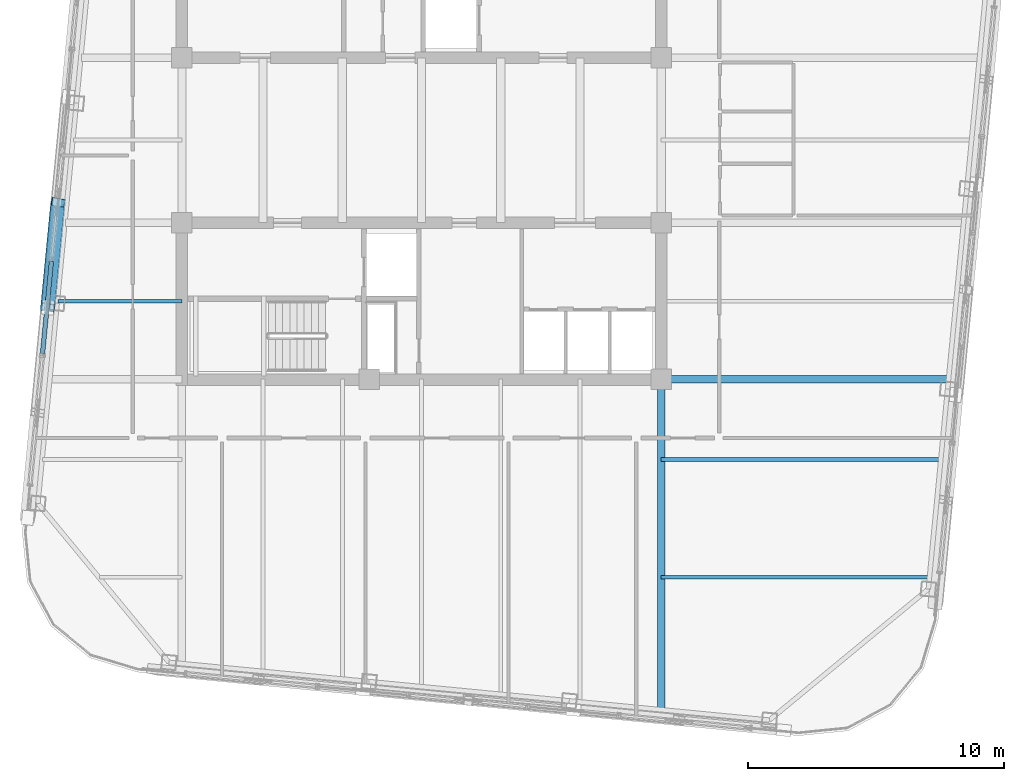
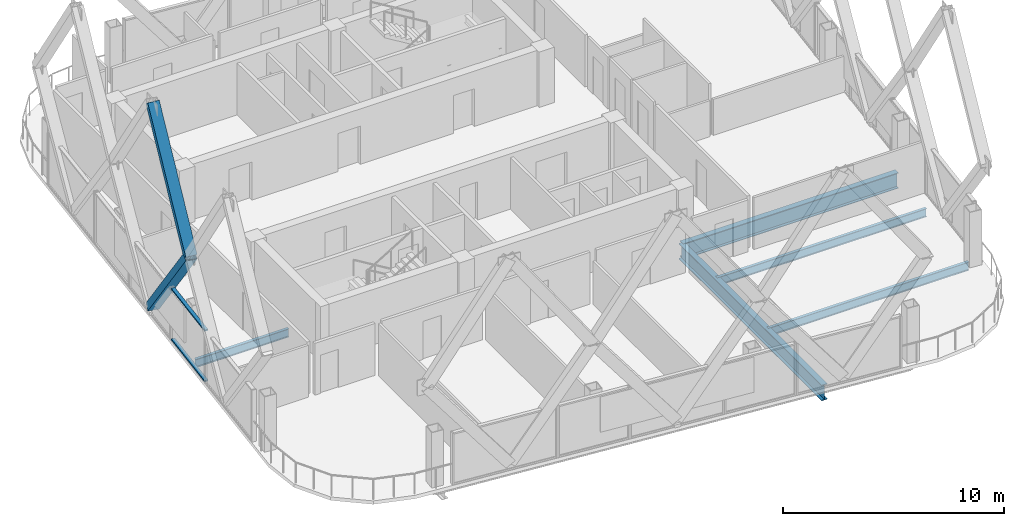
# One storey, part 8 of 25: 5 beams, 4 members, 1 element without a shape of its own.
"""IFC4 building model written with IfcOpenShell, lengths in metres."""

from ifc_helpers import new_model, si_unit, direction, frame, origin, origin_2d, place, context, subcontext, project, spatial, hollow_rectangle, i_section, extrude, material, layer, layer_set, material_profile, profile_set, type_object, element, aggregate, save


model = new_model("IFC4")

# Units and contexts
model_context = context("Model", 3, precision=1e-05, world=origin(), true_north=direction((0.0, 1.0)))
body_context = subcontext(model_context, "Body", "Model", "MODEL_VIEW")
ifc_project = project(units=[si_unit("LENGTHUNIT", "METRE"), si_unit("AREAUNIT", "SQUARE_METRE"), si_unit("VOLUMEUNIT", "CUBIC_METRE"), si_unit("PLANEANGLEUNIT", "RADIAN"), si_unit("MASSUNIT", "GRAM", prefix="KILO")], contexts=[model_context])

# Site, building, storey
site_placement = place(None, origin())
site = spatial("IfcSite", under=ifc_project, at=site_placement, CompositionType="ELEMENT")
building_placement = place(site_placement, origin())
building = spatial("IfcBuilding", under=site, at=building_placement, Name="Qhalaya Broadcast Tower", CompositionType="ELEMENT")
storey_placement = place(building_placement, frame((0.0, 0.0, 255.050048828125)))
storey = spatial("IfcBuildingStorey", under=building, at=storey_placement, Name="L75", CompositionType="ELEMENT", Elevation=255.050048828125)

# Beams
ifc_material_1 = material(Name="Structural Steel ASTM A992 Grade 50", Category="steel")
ifc_material_profile_1 = material_profile(ifc_material_1, i_section(OverallWidth=0.154052734375, OverallDepth=0.458984375, WebThickness=0.009033203125, FlangeThickness=0.015380859375, at=origin_2d()), Name="W18X46")
ifc_profile_set_1 = profile_set([ifc_material_profile_1], Name="Structural Steel ASTM A992 Grade 50")
beam_type_1 = type_object("IfcBeamType", Name="Composite Floor Joist J04", PredefinedType="JOIST", material=ifc_profile_set_1)
beam_1_placement = place(storey_placement, frame((9.375, -16.5, -0.41943359375), z_axis=(1.0, 0.0, 0.0), x_axis=(0.0, 1.0, 0.0)))
element("IfcBeam", 1, at=beam_1_placement, inside=storey, type_object=beam_type_1, Name="L75 J04 L75-JWE1E-1", PredefinedType="JOIST", context=body_context, shape_type="SweptSolid", body=[
    extrude(i_section(OverallWidth=0.154052734375, OverallDepth=0.458984375, WebThickness=0.009033203125, FlangeThickness=0.015380859375, at=origin_2d()), origin(), (0.0, 0.0, 1.0), 10.47802734375),
])
beam_2_placement = place(storey_placement, frame((9.375, -11.89990234375, -0.41943359375), z_axis=(1.0, 0.0, 0.0), x_axis=(0.0, 1.0, 0.0)))
element("IfcBeam", 2, at=beam_2_placement, inside=storey, type_object=beam_type_1, Name="L75 J04 L75-JWE2E-1", PredefinedType="JOIST", context=body_context, shape_type="SweptSolid", body=[
    extrude(i_section(OverallWidth=0.154052734375, OverallDepth=0.458984375, WebThickness=0.009033203125, FlangeThickness=0.015380859375, at=origin_2d()), origin(), (0.0, 0.0, 1.0), 10.9208984375),
])
beam_3_placement = place(storey_placement, frame((-14.228759765625, -5.699951171875, -0.41943359375), z_axis=(1.0, 0.0, 0.0), x_axis=(0.0, 1.0, 0.0)))
element("IfcBeam", 3, at=beam_3_placement, inside=storey, type_object=beam_type_1, Name="L75 J04 L75-JWE3W-1", PredefinedType="JOIST", context=body_context, shape_type="SweptSolid", body=[
    extrude(i_section(OverallWidth=0.154052734375, OverallDepth=0.458984375, WebThickness=0.009033203125, FlangeThickness=0.015380859375, at=origin_2d()), origin(), (0.0, 0.0, 1.0), 4.853759765625),
])

# Members
ifc_material_2 = material(Name="Structural Steel ASTM A572 Grade 50", Category="steel")
ifc_material_profile_2 = material_profile(ifc_material_2, hollow_rectangle(XDim=0.3798828125, YDim=0.550048828125, WallThickness=0.02490234375, at=origin_2d()), Name="BOX 380x550x25")
ifc_profile_set_2 = profile_set([ifc_material_profile_2], Name="Structural Steel ASTM A572 Grade 50")
member_type_1 = type_object("IfcMemberType", Name="Exoskeleton Diamond Diagonal Upper EX4", PredefinedType="BRACE", material=ifc_profile_set_2)
member_1_placement = place(storey_placement, frame((-14.218017578125, -1.830078125, 0.35986328125), z_axis=(-0.058266125563, -0.605364209609, 0.793813096602), x_axis=(0.171107534, 0.777341068105, 0.605361937725)))
element("IfcMember", 4, at=member_1_placement, inside=storey, type_object=member_type_1, Name="B6 Exoskeleton Diamond Brace W2-D2", PredefinedType="BRACE", context=body_context, shape_type="SweptSolid", body=[
    extrude(hollow_rectangle(XDim=0.3798828125, YDim=0.550048828125, WallThickness=0.02490234375, at=origin_2d()), origin(), (0.0, 0.0, 1.0), 6.79638671875),
])
member_2_placement = place(storey_placement, frame((-14.614013671875, -5.9443359375, 5.7548828125), z_axis=(0.055127452373, 0.572754517502, 0.817871155303), x_axis=(-0.17340185175, -0.801178209115, 0.572752368)))
element("IfcMember", 5, at=member_2_placement, inside=storey, type_object=member_type_1, Name="B6 Exoskeleton Diamond Brace W2-D4", PredefinedType="BRACE", context=body_context, shape_type="SweptSolid", body=[
    extrude(hollow_rectangle(XDim=0.3798828125, YDim=0.550048828125, WallThickness=0.02490234375, at=origin_2d()), origin(), (0.0, 0.0, 1.0), 7.183349609375),
])

# Curtain wall, members
ifc_material_3 = material(Name="Solar-Control Low-E Triple Glazing", Category="glass")
ifc_layer = layer(ifc_material_3, 0.219970703125, Name="Solar-Control Low-E Triple Glazing")
ifc_layer_set = layer_set([ifc_layer], Name="Solar-Control Low-E Triple Glazing")
curtain_wall_type = type_object("IfcCurtainWallType", Name="High-Altitude Upper-Shaft Triple Low-E Curtain Wall CW-04", PredefinedType="NOTDEFINED", material=ifc_layer_set)
curtain_wall_placement = place(storey_placement, origin())
curtain_wall = element("IfcCurtainWall", 6, at=curtain_wall_placement, inside=storey, type_object=curtain_wall_type, Name="L75 Unitised Curtain Wall L75-CW-W4", PredefinedType="NOTDEFINED")
ifc_material_4 = material(Name="Anodised Aluminium 6063-T6", Category="aluminium")
ifc_material_profile_3 = material_profile(ifc_material_4, hollow_rectangle(XDim=0.074951171875, YDim=0.179931640625, WallThickness=0.00390625, at=origin_2d()), Name="ALU-TRN 75x180x4")
ifc_profile_set_3 = profile_set([ifc_material_profile_3], Name="Anodised Aluminium 6063-T6")
member_type_2 = type_object("IfcMemberType", Name="Unitised Curtain-Wall Transom T01", PredefinedType="USERDEFINED", material=ifc_profile_set_3)
member_3_placement = place(storey_placement, frame((-14.480224609375, -4.137451171875, 0.037353515625), z_axis=(-0.095820260228, -0.995398652666, 0.0), x_axis=(0.0, 0.0, 1.0)))
member_3 = element("IfcMember", 7, at=member_3_placement, type_object=member_type_2, Name="CW-04 transom 1.1", ObjectType="TRANSOM", PredefinedType="USERDEFINED", context=body_context, shape_type="SweptSolid", body=[
    extrude(hollow_rectangle(XDim=0.074951171875, YDim=0.179931640625, WallThickness=0.00390625, at=origin_2d()), origin(), (0.0, 0.0, 1.0), 3.623046875),
])
member_4_placement = place(storey_placement, frame((-14.480224609375, -4.137451171875, 2.822509765625), z_axis=(-0.095820260228, -0.995398652666, 0.0), x_axis=(0.0, 0.0, 1.0)))
member_4 = element("IfcMember", 8, at=member_4_placement, type_object=member_type_2, Name="CW-04 transom 1.2", ObjectType="TRANSOM", PredefinedType="USERDEFINED", context=body_context, shape_type="SweptSolid", body=[
    extrude(hollow_rectangle(XDim=0.074951171875, YDim=0.179931640625, WallThickness=0.00390625, at=origin_2d()), origin(), (0.0, 0.0, 1.0), 3.623046875),
])
aggregate(curtain_wall, [member_3, member_4])

# Beams
ifc_material_profile_4 = material_profile(ifc_material_1, i_section(OverallWidth=0.2919921875, OverallDepth=0.85888671875, WebThickness=0.01708984375, FlangeThickness=0.031005859375, at=origin_2d()), Name="W33X169")
ifc_profile_set_4 = profile_set([ifc_material_profile_4], Name="Structural Steel ASTM A992 Grade 50")
beam_type_2 = type_object("IfcBeamType", Name="Upper Block Primary Girder PG4", PredefinedType="USERDEFINED", material=ifc_profile_set_4)
beam_4_placement = place(storey_placement, frame((9.375, -21.66259765625, -0.61962890625), z_axis=(0.0, 1.0, 0.0), x_axis=(-1.0, 0.0, 0.0)))
element("IfcBeam", 9, at=beam_4_placement, inside=storey, type_object=beam_type_2, Name="L75 PG4 L75-PGXS2-1", ObjectType="GIRDER", PredefinedType="USERDEFINED", context=body_context, shape_type="SweptSolid", body=[
    extrude(i_section(OverallWidth=0.2919921875, OverallDepth=0.85888671875, WebThickness=0.01708984375, FlangeThickness=0.031005859375, at=origin_2d()), origin(), (0.0, 0.0, 1.0), 12.91259765625),
])
beam_5_placement = place(storey_placement, frame((9.375, -8.75, -0.61962890625), z_axis=(1.0, 0.0, 0.0), x_axis=(0.0, 1.0, 0.0)))
element("IfcBeam", 10, at=beam_5_placement, inside=storey, type_object=beam_type_2, Name="L75 PG4 L75-PGYE1-1", ObjectType="GIRDER", PredefinedType="USERDEFINED", context=body_context, shape_type="SweptSolid", body=[
    extrude(i_section(OverallWidth=0.2919921875, OverallDepth=0.85888671875, WebThickness=0.01708984375, FlangeThickness=0.031005859375, at=origin_2d()), origin(), (0.0, 0.0, 1.0), 11.22412109375),
])

save(model, "model.ifc")
